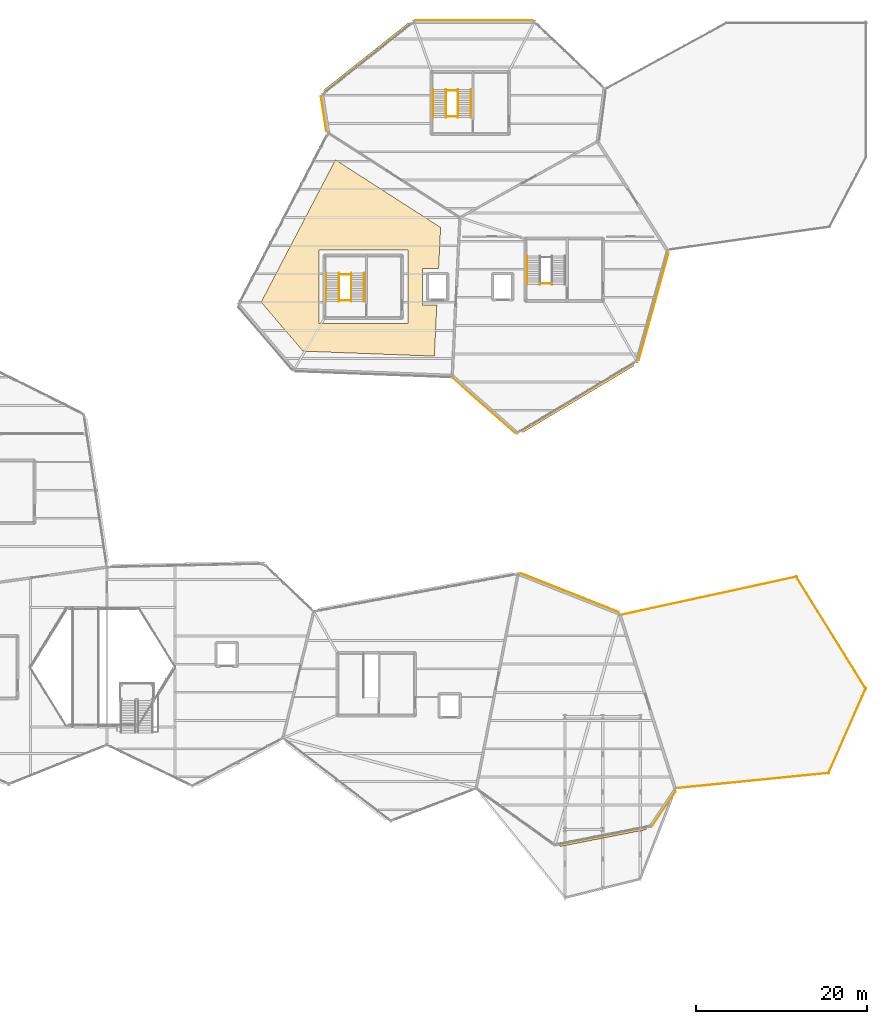
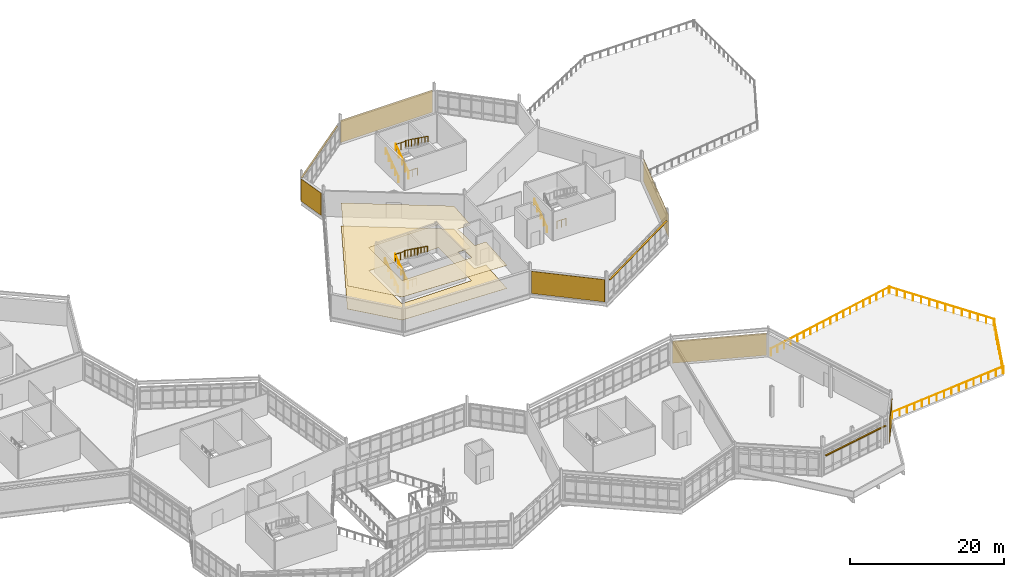
# One storey, part 75 of 76: 18 railings, 8 coverings, 3 shading devices.
"""IFC4 building model written with IfcOpenShell, lengths in metres."""

from ifc_helpers import new_model, si_unit, direction, frame, frame_2d, origin, origin_2d, place, context, subcontext, project, spatial, polyline, rectangle, circle, outline, extrude, material, layer, layer_set, type_object, element, save


model = new_model("IFC4")

# Units and contexts
model_context = context("Model", 3, precision=1e-05, world=origin(), true_north=direction((0.0, 1.0)))
body_context = subcontext(model_context, "Body", "Model", "MODEL_VIEW")
ifc_project = project(units=[si_unit("LENGTHUNIT", "METRE"), si_unit("AREAUNIT", "SQUARE_METRE"), si_unit("VOLUMEUNIT", "CUBIC_METRE"), si_unit("PLANEANGLEUNIT", "RADIAN"), si_unit("MASSUNIT", "GRAM", prefix="KILO")], contexts=[model_context])

# Site, building, storey
site_placement = place(None, origin())
site = spatial("IfcSite", under=ifc_project, at=site_placement, CompositionType="ELEMENT")
building_placement = place(site_placement, origin())
building = spatial("IfcBuilding", under=site, at=building_placement, Name="Tameran Prism Museum", CompositionType="ELEMENT")
storey_placement = place(building_placement, frame((0.0, 0.0, 15.0)))
storey = spatial("IfcBuildingStorey", under=building, at=storey_placement, Name="L03", CompositionType="ELEMENT", Elevation=15.0)

# Coverings
ifc_material_1 = material(Name="Perforated Acoustic Timber Slat Ceiling", Category="wood")
ifc_layer_1 = layer(ifc_material_1, 0.034912109375)
ifc_layer_set_1 = layer_set([ifc_layer_1])
covering_type_1 = type_object("IfcCoveringType", Name="CV-CEIL-AC", PredefinedType="CEILING", material=ifc_layer_set_1)
covering_1_placement = place(storey_placement, frame((0.0, 0.0, 3.64990234375)))
element("IfcCovering", 1, at=covering_1_placement, inside=storey, type_object=covering_type_1, Name="Acoustic Gallery Ceiling CLG-08", PredefinedType="CEILING", context=body_context, shape_type="SweptSolid", body=[
    extrude(outline(polyline([(95.5390625, 79.199951171875), (104.235107421875, 95.847900390625), (116.541015625, 87.93701171875), (116.30810546875, 83.14990234375), (114.39990234375, 83.14990234375), (114.39990234375, 78.85009765625), (116.09912109375, 78.85009765625), (115.80810546875, 72.881103515625), (100.446044921875, 73.4619140625), (95.5390625, 79.199951171875)]), holes=[polyline([(112.699951171875, 85.300048828125), (102.300048828125, 85.300048828125), (102.300048828125, 76.699951171875), (112.699951171875, 76.699951171875), (112.699951171875, 85.300048828125)])]), origin(), (0.0, 0.0, 1.0), 0.03515625),
])
ifc_material_2 = material(Name="Honed Porcellanite Terrazzo Flooring")
ifc_layer_2 = layer(ifc_material_2, 0.030029296875)
ifc_layer_set_2 = layer_set([ifc_layer_2])
covering_type_2 = type_object("IfcCoveringType", Name="CV-FLR-TER", PredefinedType="FLOORING", material=ifc_layer_set_2)
covering_2_placement = place(storey_placement, origin())
element("IfcCovering", 2, at=covering_2_placement, inside=storey, type_object=covering_type_2, Name="Porcellanite Terrazzo Floor FLR-08", PredefinedType="FLOORING", context=body_context, shape_type="SweptSolid", body=[
    extrude(outline(polyline([(95.5390625, 79.199951171875), (104.235107421875, 95.847900390625), (116.541015625, 87.93701171875), (116.30810546875, 83.14990234375), (114.39990234375, 83.14990234375), (114.39990234375, 78.85009765625), (116.09912109375, 78.85009765625), (115.80810546875, 72.881103515625), (100.446044921875, 73.4619140625), (95.5390625, 79.199951171875)]), holes=[polyline([(112.699951171875, 85.300048828125), (102.300048828125, 85.300048828125), (102.300048828125, 76.699951171875), (112.699951171875, 76.699951171875), (112.699951171875, 85.300048828125)])]), origin(), (0.0, 0.0, 1.0), 0.030029296875),
])
ifc_material_3 = material(Name="White Fluted Mineral Precast GRC", Category="concrete")
ifc_layer_3 = layer(ifc_material_3, 0.044921875)
ifc_layer_set_3 = layer_set([ifc_layer_3])
covering_type_3 = type_object("IfcCoveringType", Name="CV-FLUTE-WHT", PredefinedType="CLADDING", material=ifc_layer_set_3)
covering_3_placement = place(storey_placement, frame((125.239013671875, 63.876953125, 0.050048828125), z_axis=(0.0, 0.0, 1.0), x_axis=(-0.750181119255, 0.661232401137, 0.0)))
element("IfcCovering", 3, at=covering_3_placement, inside=storey, type_object=covering_type_3, Name="Vertical Fluted White Precast Panel CL-0050", PredefinedType="CLADDING", context=body_context, shape_type="SweptSolid", body=[
    extrude(rectangle(XDim=9.7109375, YDim=0.044921875, at=frame_2d((4.85546875, 0.0))), origin(), (0.0, 0.0, 1.0), 3.52001953125),
])
covering_4_placement = place(storey_placement, frame((143.235107421875, 84.97607421875, 0.050048828125), z_axis=(0.0, 0.0, 1.0), x_axis=(-0.268850292875, -0.963181976586, 0.0)))
element("IfcCovering", 4, at=covering_4_placement, inside=storey, type_object=covering_type_3, Name="Vertical Fluted White Precast Panel CL-0051", PredefinedType="CLADDING", context=body_context, shape_type="SweptSolid", body=[
    extrude(rectangle(XDim=13.033935546875, YDim=0.044921875, at=frame_2d((6.51708984375, 0.0))), origin(), (0.0, 0.0, 1.0), 3.52001953125),
])
covering_5_placement = place(storey_placement, frame((113.580078125, 112.18994140625, 0.050048828125), z_axis=(0.0, 0.0, 1.0), x_axis=(1.0, 0.0, 0.0)))
element("IfcCovering", 5, at=covering_5_placement, inside=storey, type_object=covering_type_3, Name="Vertical Fluted White Precast Panel CL-0053", PredefinedType="CLADDING", context=body_context, shape_type="SweptSolid", body=[
    extrude(rectangle(XDim=13.739990234375, YDim=0.044921875, at=frame_2d((6.8701171875, 0.0))), origin(), (0.0, 0.0, 1.0), 3.52001953125),
])
covering_6_placement = place(storey_placement, frame((103.176025390625, 99.2080078125, 0.050048828125), z_axis=(0.0, 0.0, 1.0), x_axis=(-0.153836417565, 0.988096329631, 0.0)))
element("IfcCovering", 6, at=covering_6_placement, inside=storey, type_object=covering_type_3, Name="Vertical Fluted White Precast Panel CL-0054", PredefinedType="CLADDING", context=body_context, shape_type="SweptSolid", body=[
    extrude(rectangle(XDim=4.13427734375, YDim=0.044921875, at=frame_2d((2.067138671875, 0.0))), origin(), (0.0, 0.0, 1.0), 3.52001953125),
])
covering_7_placement = place(storey_placement, frame((125.889892578125, 47.47705078125, 0.050048828125), z_axis=(0.0, 0.0, 1.0), x_axis=(0.930058898884, -0.367410457944, 0.0)))
element("IfcCovering", 7, at=covering_7_placement, inside=storey, type_object=covering_type_3, Name="Vertical Fluted White Precast Panel CL-0055", PredefinedType="CLADDING", context=body_context, shape_type="SweptSolid", body=[
    extrude(rectangle(XDim=12.37353515625, YDim=0.044921875, at=frame_2d((6.186767578125, 0.0))), origin(), (0.0, 0.0, 1.0), 3.52001953125),
])
covering_8_placement = place(storey_placement, frame((144.047119140625, 21.951904296875, 0.050048828125), z_axis=(0.0, 0.0, 1.0), x_axis=(-0.559174006743, -0.829050318246, 0.0)))
element("IfcCovering", 8, at=covering_8_placement, inside=storey, type_object=covering_type_3, Name="Vertical Fluted White Precast Panel CL-0056", PredefinedType="CLADDING", context=body_context, shape_type="SweptSolid", body=[
    extrude(rectangle(XDim=4.8271484375, YDim=0.044921875, at=frame_2d((2.41357421875, 0.0))), origin(), (0.0, 0.0, 1.0), 3.52001953125),
])

# Railings
ifc_material_4 = material(Name="Marine Stainless Steel 316", Category="steel")
ifc_layer_4 = layer(ifc_material_4, 0.054931640625)
ifc_layer_set_4 = layer_set([ifc_layer_4])
railing_type_1 = type_object("IfcRailingType", Name="RL-GR-1120", PredefinedType="GUARDRAIL", material=ifc_layer_set_4)
railing_1_placement = place(storey_placement, frame((104.68994140625, 79.39990234375, 0.0)))
element("IfcRailing", 9, at=railing_1_placement, inside=storey, type_object=railing_type_1, Name="Stair Well Slot Guard GR-S016", PredefinedType="GUARDRAIL", context=body_context, shape_type="SweptSolid", body=[
    extrude(circle(Radius=0.02392578125, at=origin_2d()), frame((0.0, 0.0, 1.1259765625), z_axis=(1.0, 0.0, 0.0), x_axis=(0.0, 1.0, 0.0)), (0.0, 0.0, 1.0), 1.3701171875),
    extrude(circle(Radius=0.02099609375, at=origin_2d()), origin(), (0.0, 0.0, 1.0), 1.101806640625),
    extrude(circle(Radius=0.02099609375, at=origin_2d()), frame((0.68505859375, 0.0, 0.0)), (0.0, 0.0, 1.0), 1.101806640625),
    extrude(circle(Radius=0.02099609375, at=origin_2d()), frame((1.3701171875, 0.0, 0.0)), (0.0, 0.0, 1.0), 1.101806640625),
])
railing_2_placement = place(storey_placement, frame((104.669921875, 79.280029296875, 0.0)))
element("IfcRailing", 10, at=railing_2_placement, inside=storey, type_object=railing_type_1, Name="Stair Well Guardrail GR-S017", PredefinedType="GUARDRAIL", context=body_context, shape_type="SweptSolid", body=[
    extrude(circle(Radius=0.02392578125, at=origin_2d()), frame((0.0, 0.0, 1.1259765625), z_axis=(0.0, 0.810008566192, 0.586418044312), x_axis=(-1.0, 0.0, 0.0)), (0.0, 0.0, 1.0), 4.092529296875),
    extrude(circle(Radius=0.02099609375, at=origin_2d()), origin(), (0.0, 0.0, 1.0), 1.101806640625),
    extrude(circle(Radius=0.02099609375, at=origin_2d()), frame((0.0, 0.82861328125, 0.60009765625)), (0.0, 0.0, 1.0), 1.101806640625),
    extrude(circle(Radius=0.02099609375, at=origin_2d()), frame((0.0, 1.657470703125, 1.199951171875)), (0.0, 0.0, 1.0), 1.101806640625),
    extrude(circle(Radius=0.02099609375, at=origin_2d()), frame((0.0, 2.486328125, 1.7998046875)), (0.0, 0.0, 1.0), 1.101806640625),
    extrude(circle(Radius=0.02099609375, at=origin_2d()), frame((0.0, 3.31494140625, 2.39990234375)), (0.0, 0.0, 1.0), 1.101806640625),
])
railing_3_placement = place(storey_placement, frame((106.080078125, 82.594970703125, 2.39990234375)))
element("IfcRailing", 11, at=railing_3_placement, inside=storey, type_object=railing_type_1, Name="Stair Well Guardrail GR-S018", PredefinedType="GUARDRAIL", context=body_context, shape_type="SweptSolid", body=[
    extrude(circle(Radius=0.02392578125, at=origin_2d()), frame((0.0, 0.0, 1.1259765625), z_axis=(0.0, -0.809980229442, 0.586457183359), x_axis=(1.0, 0.0, 0.0)), (0.0, 0.0, 1.0), 4.092529296875),
    extrude(circle(Radius=0.02099609375, at=origin_2d()), origin(), (0.0, 0.0, 1.0), 1.101806640625),
    extrude(circle(Radius=0.02099609375, at=origin_2d()), frame((0.0, -0.82861328125, 0.60009765625)), (0.0, 0.0, 1.0), 1.101806640625),
    extrude(circle(Radius=0.02099609375, at=origin_2d()), frame((0.0, -1.657470703125, 1.2001953125)), (0.0, 0.0, 1.0), 1.101806640625),
    extrude(circle(Radius=0.02099609375, at=origin_2d()), frame((0.0, -2.486328125, 1.800048828125)), (0.0, 0.0, 1.0), 1.101806640625),
    extrude(circle(Radius=0.02099609375, at=origin_2d()), frame((0.0, -3.31494140625, 2.400146484375)), (0.0, 0.0, 1.0), 1.101806640625),
])
railing_4_placement = place(storey_placement, frame((104.64990234375, 82.455078125, 2.39990234375)))
element("IfcRailing", 12, at=railing_4_placement, inside=storey, type_object=railing_type_1, Name="Landing Well Guardrail GR-S019", PredefinedType="GUARDRAIL", context=body_context, shape_type="SweptSolid", body=[
    extrude(circle(Radius=0.02392578125, at=origin_2d()), frame((0.0, 0.0, 1.1259765625), z_axis=(1.0, 0.0, 0.0), x_axis=(0.0, 1.0, 0.0)), (0.0, 0.0, 1.0), 1.4501953125),
    extrude(circle(Radius=0.02099609375, at=origin_2d()), origin(), (0.0, 0.0, 1.0), 1.101806640625),
    extrude(circle(Radius=0.02099609375, at=origin_2d()), frame((0.72509765625, 0.0, 0.0)), (0.0, 0.0, 1.0), 1.101806640625),
    extrude(circle(Radius=0.02099609375, at=origin_2d()), frame((1.4501953125, 0.0, 0.0)), (0.0, 0.0, 1.0), 1.101806640625),
])
for number, where, name in (
    (13, (128.18994140625, 81.39990234375, 0.0), "Stair Well Slot Guard GR-S044"),
    (14, (117.18994140625, 100.89990234375, 0.0), "Stair Well Slot Guard GR-S072"),
):
    element("IfcRailing", number, at=place(storey_placement, frame(where)), inside=storey, type_object=railing_type_1, Name=name, PredefinedType="GUARDRAIL", context=body_context, shape_type="SweptSolid", body=[
        extrude(circle(Radius=0.02392578125, at=origin_2d()), frame((0.0, 0.0, 1.1259765625), z_axis=(1.0, 0.0, 0.0), x_axis=(0.0, 1.0, 0.0)), (0.0, 0.0, 1.0), 1.3701171875),
        extrude(circle(Radius=0.02099609375, at=origin_2d()), origin(), (0.0, 0.0, 1.0), 1.101806640625),
        extrude(circle(Radius=0.02099609375, at=origin_2d()), frame((0.68505859375, 0.0, 0.0)), (0.0, 0.0, 1.0), 1.101806640625),
        extrude(circle(Radius=0.02099609375, at=origin_2d()), frame((1.3701171875, 0.0, 0.0)), (0.0, 0.0, 1.0), 1.101806640625),
    ])
railing_5_placement = place(storey_placement, frame((117.169921875, 100.780029296875, 0.0)))
element("IfcRailing", 15, at=railing_5_placement, inside=storey, type_object=railing_type_1, Name="Stair Well Guardrail GR-S073", PredefinedType="GUARDRAIL", context=body_context, shape_type="SweptSolid", body=[
    extrude(circle(Radius=0.02392578125, at=origin_2d()), frame((0.0, 0.0, 1.1259765625), z_axis=(0.0, 0.810008566192, 0.586418044312), x_axis=(-1.0, 0.0, 0.0)), (0.0, 0.0, 1.0), 4.092529296875),
    extrude(circle(Radius=0.02099609375, at=origin_2d()), origin(), (0.0, 0.0, 1.0), 1.101806640625),
    extrude(circle(Radius=0.02099609375, at=origin_2d()), frame((0.0, 0.82861328125, 0.60009765625)), (0.0, 0.0, 1.0), 1.101806640625),
    extrude(circle(Radius=0.02099609375, at=origin_2d()), frame((0.0, 1.657470703125, 1.199951171875)), (0.0, 0.0, 1.0), 1.101806640625),
    extrude(circle(Radius=0.02099609375, at=origin_2d()), frame((0.0, 2.486328125, 1.7998046875)), (0.0, 0.0, 1.0), 1.101806640625),
    extrude(circle(Radius=0.02099609375, at=origin_2d()), frame((0.0, 3.31494140625, 2.39990234375)), (0.0, 0.0, 1.0), 1.101806640625),
])
railing_6_placement = place(storey_placement, frame((118.580078125, 104.094970703125, 2.39990234375)))
element("IfcRailing", 16, at=railing_6_placement, inside=storey, type_object=railing_type_1, Name="Stair Well Guardrail GR-S074", PredefinedType="GUARDRAIL", context=body_context, shape_type="SweptSolid", body=[
    extrude(circle(Radius=0.02392578125, at=origin_2d()), frame((0.0, 0.0, 1.1259765625), z_axis=(0.0, -0.809980229442, 0.586457183359), x_axis=(1.0, 0.0, 0.0)), (0.0, 0.0, 1.0), 4.092529296875),
    extrude(circle(Radius=0.02099609375, at=origin_2d()), origin(), (0.0, 0.0, 1.0), 1.101806640625),
    extrude(circle(Radius=0.02099609375, at=origin_2d()), frame((0.0, -0.82861328125, 0.60009765625)), (0.0, 0.0, 1.0), 1.101806640625),
    extrude(circle(Radius=0.02099609375, at=origin_2d()), frame((0.0, -1.657470703125, 1.2001953125)), (0.0, 0.0, 1.0), 1.101806640625),
    extrude(circle(Radius=0.02099609375, at=origin_2d()), frame((0.0, -2.486328125, 1.800048828125)), (0.0, 0.0, 1.0), 1.101806640625),
    extrude(circle(Radius=0.02099609375, at=origin_2d()), frame((0.0, -3.31494140625, 2.400146484375)), (0.0, 0.0, 1.0), 1.101806640625),
])
railing_7_placement = place(storey_placement, frame((117.14990234375, 103.955078125, 2.39990234375)))
element("IfcRailing", 17, at=railing_7_placement, inside=storey, type_object=railing_type_1, Name="Landing Well Guardrail GR-S075", PredefinedType="GUARDRAIL", context=body_context, shape_type="SweptSolid", body=[
    extrude(circle(Radius=0.02392578125, at=origin_2d()), frame((0.0, 0.0, 1.1259765625), z_axis=(1.0, 0.0, 0.0), x_axis=(0.0, 1.0, 0.0)), (0.0, 0.0, 1.0), 1.4501953125),
    extrude(circle(Radius=0.02099609375, at=origin_2d()), origin(), (0.0, 0.0, 1.0), 1.101806640625),
    extrude(circle(Radius=0.02099609375, at=origin_2d()), frame((0.72509765625, 0.0, 0.0)), (0.0, 0.0, 1.0), 1.101806640625),
    extrude(circle(Radius=0.02099609375, at=origin_2d()), frame((1.4501953125, 0.0, 0.0)), (0.0, 0.0, 1.0), 1.101806640625),
])
ifc_material_5 = material(Name="Brushed Stainless Steel 316", Category="steel")
ifc_layer_5 = layer(ifc_material_5, 0.048095703125)
ifc_layer_set_5 = layer_set([ifc_layer_5])
railing_type_2 = type_object("IfcRailingType", Name="RL-HR-920", PredefinedType="HANDRAIL", material=ifc_layer_set_5)
railing_8_placement = place(storey_placement, frame((103.159912109375, 79.280029296875, 0.0)))
element("IfcRailing", 18, at=railing_8_placement, inside=storey, type_object=railing_type_2, Name="Stair Flight Handrail HR-009", PredefinedType="HANDRAIL", context=body_context, shape_type="SweptSolid", body=[
    extrude(circle(Radius=0.02392578125, at=origin_2d()), frame((0.0, 0.0, 0.89599609375), z_axis=(0.0, 0.810008566192, 0.586418044312), x_axis=(-1.0, 0.0, 0.0)), (0.0, 0.0, 1.0), 4.092529296875),
    extrude(circle(Radius=0.02099609375, at=origin_2d()), origin(), (0.0, 0.0, 1.0), 0.871826171875),
    extrude(circle(Radius=0.02099609375, at=origin_2d()), frame((0.0, 0.82861328125, 0.60009765625)), (0.0, 0.0, 1.0), 0.871826171875),
    extrude(circle(Radius=0.02099609375, at=origin_2d()), frame((0.0, 1.657470703125, 1.199951171875)), (0.0, 0.0, 1.0), 0.871826171875),
    extrude(circle(Radius=0.02099609375, at=origin_2d()), frame((0.0, 2.486328125, 1.7998046875)), (0.0, 0.0, 1.0), 0.871826171875),
    extrude(circle(Radius=0.02099609375, at=origin_2d()), frame((0.0, 3.31494140625, 2.39990234375)), (0.0, 0.0, 1.0), 0.871826171875),
])
railing_9_placement = place(storey_placement, frame((107.590087890625, 82.594970703125, 2.39990234375)))
element("IfcRailing", 19, at=railing_9_placement, inside=storey, type_object=railing_type_2, Name="Stair Flight Handrail HR-010", PredefinedType="HANDRAIL", context=body_context, shape_type="SweptSolid", body=[
    extrude(circle(Radius=0.02392578125, at=origin_2d()), frame((0.0, 0.0, 0.89599609375), z_axis=(0.0, -0.809980229442, 0.586457183359), x_axis=(1.0, 0.0, 0.0)), (0.0, 0.0, 1.0), 4.092529296875),
    extrude(circle(Radius=0.02099609375, at=origin_2d()), origin(), (0.0, 0.0, 1.0), 0.871826171875),
    extrude(circle(Radius=0.02099609375, at=origin_2d()), frame((0.0, -0.82861328125, 0.60009765625)), (0.0, 0.0, 1.0), 0.871826171875),
    extrude(circle(Radius=0.02099609375, at=origin_2d()), frame((0.0, -1.657470703125, 1.2001953125)), (0.0, 0.0, 1.0), 0.871826171875),
    extrude(circle(Radius=0.02099609375, at=origin_2d()), frame((0.0, -2.486328125, 1.800048828125)), (0.0, 0.0, 1.0), 0.871826171875),
    extrude(circle(Radius=0.02099609375, at=origin_2d()), frame((0.0, -3.31494140625, 2.400146484375)), (0.0, 0.0, 1.0), 0.871826171875),
])
for number, where, name in (
    (20, (126.659912109375, 81.280029296875, 0.0), "Stair Flight Handrail HR-023"),
    (21, (115.659912109375, 100.780029296875, 0.0), "Stair Flight Handrail HR-037"),
):
    element("IfcRailing", number, at=place(storey_placement, frame(where)), inside=storey, type_object=railing_type_2, Name=name, PredefinedType="HANDRAIL", context=body_context, shape_type="SweptSolid", body=[
        extrude(circle(Radius=0.02392578125, at=origin_2d()), frame((0.0, 0.0, 0.89599609375), z_axis=(0.0, 0.810008566192, 0.586418044312), x_axis=(-1.0, 0.0, 0.0)), (0.0, 0.0, 1.0), 4.092529296875),
        extrude(circle(Radius=0.02099609375, at=origin_2d()), origin(), (0.0, 0.0, 1.0), 0.871826171875),
        extrude(circle(Radius=0.02099609375, at=origin_2d()), frame((0.0, 0.82861328125, 0.60009765625)), (0.0, 0.0, 1.0), 0.871826171875),
        extrude(circle(Radius=0.02099609375, at=origin_2d()), frame((0.0, 1.657470703125, 1.199951171875)), (0.0, 0.0, 1.0), 0.871826171875),
        extrude(circle(Radius=0.02099609375, at=origin_2d()), frame((0.0, 2.486328125, 1.7998046875)), (0.0, 0.0, 1.0), 0.871826171875),
        extrude(circle(Radius=0.02099609375, at=origin_2d()), frame((0.0, 3.31494140625, 2.39990234375)), (0.0, 0.0, 1.0), 0.871826171875),
    ])
railing_10_placement = place(storey_placement, frame((120.090087890625, 104.094970703125, 2.39990234375)))
element("IfcRailing", 22, at=railing_10_placement, inside=storey, type_object=railing_type_2, Name="Stair Flight Handrail HR-038", PredefinedType="HANDRAIL", context=body_context, shape_type="SweptSolid", body=[
    extrude(circle(Radius=0.02392578125, at=origin_2d()), frame((0.0, 0.0, 0.89599609375), z_axis=(0.0, -0.809980229442, 0.586457183359), x_axis=(1.0, 0.0, 0.0)), (0.0, 0.0, 1.0), 4.092529296875),
    extrude(circle(Radius=0.02099609375, at=origin_2d()), origin(), (0.0, 0.0, 1.0), 0.871826171875),
    extrude(circle(Radius=0.02099609375, at=origin_2d()), frame((0.0, -0.82861328125, 0.60009765625)), (0.0, 0.0, 1.0), 0.871826171875),
    extrude(circle(Radius=0.02099609375, at=origin_2d()), frame((0.0, -1.657470703125, 1.2001953125)), (0.0, 0.0, 1.0), 0.871826171875),
    extrude(circle(Radius=0.02099609375, at=origin_2d()), frame((0.0, -2.486328125, 1.800048828125)), (0.0, 0.0, 1.0), 0.871826171875),
    extrude(circle(Radius=0.02099609375, at=origin_2d()), frame((0.0, -3.31494140625, 2.400146484375)), (0.0, 0.0, 1.0), 0.871826171875),
])
ifc_material_6 = material(Name="Marine Stainless Steel 316", Category="steel")
ifc_layer_6 = layer(ifc_material_6, 0.06005859375)
ifc_layer_set_6 = layer_set([ifc_layer_6])
railing_type_3 = type_object("IfcRailingType", Name="RL-TER-1120", PredefinedType="GUARDRAIL", material=ifc_layer_set_6)
railing_11_placement = place(storey_placement, frame((144.319091796875, 22.35205078125, 0.0)))
element("IfcRailing", 23, at=railing_11_placement, inside=storey, type_object=railing_type_3, Name="Terrace Guardrail GR-T027", PredefinedType="GUARDRAIL", context=body_context, shape_type="SweptSolid", body=[
    extrude(circle(Radius=0.02392578125, at=origin_2d()), frame((0.0, 0.0, 1.09619140625), z_axis=(0.995037462462, 0.099500996461, 0.0), x_axis=(-0.099500996461, 0.995037462462, 0.0)), (0.0, 0.0, 1.0), 17.757080078125),
    extrude(circle(Radius=0.02099609375, at=origin_2d()), origin(), (0.0, 0.0, 1.0), 1.072021484375),
    extrude(circle(Radius=0.02099609375, at=origin_2d()), frame((1.177978515625, 0.11767578125, 0.0)), (0.0, 0.0, 1.0), 1.072021484375),
    extrude(circle(Radius=0.02099609375, at=origin_2d()), frame((2.35595703125, 0.235595703125, 0.0)), (0.0, 0.0, 1.0), 1.072021484375),
    extrude(circle(Radius=0.02099609375, at=origin_2d()), frame((3.53369140625, 0.353271484375, 0.0)), (0.0, 0.0, 1.0), 1.072021484375),
    extrude(circle(Radius=0.02099609375, at=origin_2d()), frame((4.711669921875, 0.47119140625, 0.0)), (0.0, 0.0, 1.0), 1.072021484375),
    extrude(circle(Radius=0.02099609375, at=origin_2d()), frame((5.8896484375, 0.5888671875, 0.0)), (0.0, 0.0, 1.0), 1.072021484375),
    extrude(circle(Radius=0.02099609375, at=origin_2d()), frame((7.067626953125, 0.706787109375, 0.0)), (0.0, 0.0, 1.0), 1.072021484375),
    extrude(circle(Radius=0.02099609375, at=origin_2d()), frame((8.24560546875, 0.824462890625, 0.0)), (0.0, 0.0, 1.0), 1.072021484375),
    extrude(circle(Radius=0.02099609375, at=origin_2d()), frame((9.42333984375, 0.9423828125, 0.0)), (0.0, 0.0, 1.0), 1.072021484375),
    extrude(circle(Radius=0.02099609375, at=origin_2d()), frame((10.601318359375, 1.06005859375, 0.0)), (0.0, 0.0, 1.0), 1.072021484375),
    extrude(circle(Radius=0.02099609375, at=origin_2d()), frame((11.779296875, 1.177978515625, 0.0)), (0.0, 0.0, 1.0), 1.072021484375),
    extrude(circle(Radius=0.02099609375, at=origin_2d()), frame((12.957275390625, 1.295654296875, 0.0)), (0.0, 0.0, 1.0), 1.072021484375),
    extrude(circle(Radius=0.02099609375, at=origin_2d()), frame((14.13525390625, 1.41357421875, 0.0)), (0.0, 0.0, 1.0), 1.072021484375),
    extrude(circle(Radius=0.02099609375, at=origin_2d()), frame((15.31298828125, 1.53125, 0.0)), (0.0, 0.0, 1.0), 1.072021484375),
    extrude(circle(Radius=0.02099609375, at=origin_2d()), frame((16.490966796875, 1.649169921875, 0.0)), (0.0, 0.0, 1.0), 1.072021484375),
    extrude(circle(Radius=0.02099609375, at=origin_2d()), frame((17.6689453125, 1.766845703125, 0.0)), (0.0, 0.0, 1.0), 1.072021484375),
])
railing_12_placement = place(storey_placement, frame((161.889892578125, 24.048095703125, 0.0)))
element("IfcRailing", 24, at=railing_12_placement, inside=storey, type_object=railing_type_3, Name="Terrace Guardrail GR-T028", PredefinedType="GUARDRAIL", context=body_context, shape_type="SweptSolid", body=[
    extrude(circle(Radius=0.02392578125, at=origin_2d()), frame((0.0, 0.0, 1.09619140625), z_axis=(0.402749847365, 0.915310089777, 0.0), x_axis=(-0.915310089777, 0.402749847365, 0.0)), (0.0, 0.0, 1.0), 10.92529296875),
    extrude(circle(Radius=0.02099609375, at=origin_2d()), origin(), (0.0, 0.0, 1.0), 1.072021484375),
    extrude(circle(Radius=0.02099609375, at=origin_2d()), frame((0.43994140625, 1.0, 0.0)), (0.0, 0.0, 1.0), 1.072021484375),
    extrude(circle(Radius=0.02099609375, at=origin_2d()), frame((0.880126953125, 2.0, 0.0)), (0.0, 0.0, 1.0), 1.072021484375),
    extrude(circle(Radius=0.02099609375, at=origin_2d()), frame((1.320068359375, 3.0, 0.0)), (0.0, 0.0, 1.0), 1.072021484375),
    extrude(circle(Radius=0.02099609375, at=origin_2d()), frame((1.760009765625, 4.0, 0.0)), (0.0, 0.0, 1.0), 1.072021484375),
    extrude(circle(Radius=0.02099609375, at=origin_2d()), frame((2.2001953125, 5.0, 0.0)), (0.0, 0.0, 1.0), 1.072021484375),
    extrude(circle(Radius=0.02099609375, at=origin_2d()), frame((2.64013671875, 6.0, 0.0)), (0.0, 0.0, 1.0), 1.072021484375),
    extrude(circle(Radius=0.02099609375, at=origin_2d()), frame((3.080078125, 7.0, 0.0)), (0.0, 0.0, 1.0), 1.072021484375),
    extrude(circle(Radius=0.02099609375, at=origin_2d()), frame((3.52001953125, 8.0, 0.0)), (0.0, 0.0, 1.0), 1.072021484375),
    extrude(circle(Radius=0.02099609375, at=origin_2d()), frame((3.960205078125, 9.0, 0.0)), (0.0, 0.0, 1.0), 1.072021484375),
    extrude(circle(Radius=0.02099609375, at=origin_2d()), frame((4.400146484375, 10.0, 0.0)), (0.0, 0.0, 1.0), 1.072021484375),
])
railing_13_placement = place(storey_placement, frame((166.298095703125, 33.93701171875, 0.0)))
element("IfcRailing", 25, at=railing_13_placement, inside=storey, type_object=railing_type_3, Name="Terrace Guardrail GR-T029", PredefinedType="GUARDRAIL", context=body_context, shape_type="SweptSolid", body=[
    extrude(circle(Radius=0.02392578125, at=origin_2d()), frame((0.0, 0.0, 1.09619140625), z_axis=(-0.527693678684, 0.84943474233, 0.0), x_axis=(-0.84943474233, -0.527693678684, 0.0)), (0.0, 0.0, 1.0), 15.539794921875),
    extrude(circle(Radius=0.02099609375, at=origin_2d()), origin(), (0.0, 0.0, 1.0), 1.072021484375),
    extrude(circle(Radius=0.02099609375, at=origin_2d()), frame((-0.630859375, 1.015380859375, 0.0)), (0.0, 0.0, 1.0), 1.072021484375),
    extrude(circle(Radius=0.02099609375, at=origin_2d()), frame((-1.261474609375, 2.03076171875, 0.0)), (0.0, 0.0, 1.0), 1.072021484375),
    extrude(circle(Radius=0.02099609375, at=origin_2d()), frame((-1.892333984375, 3.046142578125, 0.0)), (0.0, 0.0, 1.0), 1.072021484375),
    extrude(circle(Radius=0.02099609375, at=origin_2d()), frame((-2.523193359375, 4.0615234375, 0.0)), (0.0, 0.0, 1.0), 1.072021484375),
    extrude(circle(Radius=0.02099609375, at=origin_2d()), frame((-3.15380859375, 5.076904296875, 0.0)), (0.0, 0.0, 1.0), 1.072021484375),
    extrude(circle(Radius=0.02099609375, at=origin_2d()), frame((-3.78466796875, 6.09228515625, 0.0)), (0.0, 0.0, 1.0), 1.072021484375),
    extrude(circle(Radius=0.02099609375, at=origin_2d()), frame((-4.41552734375, 7.107666015625, 0.0)), (0.0, 0.0, 1.0), 1.072021484375),
    extrude(circle(Radius=0.02099609375, at=origin_2d()), frame((-5.04638671875, 8.123046875, 0.0)), (0.0, 0.0, 1.0), 1.072021484375),
    extrude(circle(Radius=0.02099609375, at=origin_2d()), frame((-5.677001953125, 9.138427734375, 0.0)), (0.0, 0.0, 1.0), 1.072021484375),
    extrude(circle(Radius=0.02099609375, at=origin_2d()), frame((-6.307861328125, 10.15380859375, 0.0)), (0.0, 0.0, 1.0), 1.072021484375),
    extrude(circle(Radius=0.02099609375, at=origin_2d()), frame((-6.938720703125, 11.169189453125, 0.0)), (0.0, 0.0, 1.0), 1.072021484375),
    extrude(circle(Radius=0.02099609375, at=origin_2d()), frame((-7.5693359375, 12.1845703125, 0.0)), (0.0, 0.0, 1.0), 1.072021484375),
    extrude(circle(Radius=0.02099609375, at=origin_2d()), frame((-8.2001953125, 13.199951171875, 0.0)), (0.0, 0.0, 1.0), 1.072021484375),
])
railing_14_placement = place(storey_placement, frame((158.22509765625, 47.0830078125, 0.0)))
element("IfcRailing", 26, at=railing_14_placement, inside=storey, type_object=railing_type_3, Name="Terrace Guardrail GR-T030", PredefinedType="GUARDRAIL", context=body_context, shape_type="SweptSolid", body=[
    extrude(circle(Radius=0.02392578125, at=origin_2d()), frame((0.0, 0.0, 1.09619140625), z_axis=(-0.977174141433, -0.212439867525, 0.0), x_axis=(0.212439867525, -0.977174141433, 0.0)), (0.0, 0.0, 1.0), 20.820556640625),
    extrude(circle(Radius=0.02099609375, at=origin_2d()), origin(), (0.0, 0.0, 1.0), 1.072021484375),
    extrude(circle(Radius=0.02099609375, at=origin_2d()), frame((-1.13037109375, -0.24560546875, 0.0)), (0.0, 0.0, 1.0), 1.072021484375),
    extrude(circle(Radius=0.02099609375, at=origin_2d()), frame((-2.260498046875, -0.491455078125, 0.0)), (0.0, 0.0, 1.0), 1.072021484375),
    extrude(circle(Radius=0.02099609375, at=origin_2d()), frame((-3.390869140625, -0.7373046875, 0.0)), (0.0, 0.0, 1.0), 1.072021484375),
    extrude(circle(Radius=0.02099609375, at=origin_2d()), frame((-4.521240234375, -0.98291015625, 0.0)), (0.0, 0.0, 1.0), 1.072021484375),
    extrude(circle(Radius=0.02099609375, at=origin_2d()), frame((-5.6513671875, -1.228515625, 0.0)), (0.0, 0.0, 1.0), 1.072021484375),
    extrude(circle(Radius=0.02099609375, at=origin_2d()), frame((-6.78173828125, -1.474365234375, 0.0)), (0.0, 0.0, 1.0), 1.072021484375),
    extrude(circle(Radius=0.02099609375, at=origin_2d()), frame((-7.912109375, -1.72021484375, 0.0)), (0.0, 0.0, 1.0), 1.072021484375),
    extrude(circle(Radius=0.02099609375, at=origin_2d()), frame((-9.042236328125, -1.9658203125, 0.0)), (0.0, 0.0, 1.0), 1.072021484375),
    extrude(circle(Radius=0.02099609375, at=origin_2d()), frame((-10.172607421875, -2.21142578125, 0.0)), (0.0, 0.0, 1.0), 1.072021484375),
    extrude(circle(Radius=0.02099609375, at=origin_2d()), frame((-11.302978515625, -2.457275390625, 0.0)), (0.0, 0.0, 1.0), 1.072021484375),
    extrude(circle(Radius=0.02099609375, at=origin_2d()), frame((-12.43310546875, -2.703125, 0.0)), (0.0, 0.0, 1.0), 1.072021484375),
    extrude(circle(Radius=0.02099609375, at=origin_2d()), frame((-13.5634765625, -2.94873046875, 0.0)), (0.0, 0.0, 1.0), 1.072021484375),
    extrude(circle(Radius=0.02099609375, at=origin_2d()), frame((-14.69384765625, -3.1943359375, 0.0)), (0.0, 0.0, 1.0), 1.072021484375),
    extrude(circle(Radius=0.02099609375, at=origin_2d()), frame((-15.823974609375, -3.440185546875, 0.0)), (0.0, 0.0, 1.0), 1.072021484375),
    extrude(circle(Radius=0.02099609375, at=origin_2d()), frame((-16.954345703125, -3.68603515625, 0.0)), (0.0, 0.0, 1.0), 1.072021484375),
    extrude(circle(Radius=0.02099609375, at=origin_2d()), frame((-18.084716796875, -3.931640625, 0.0)), (0.0, 0.0, 1.0), 1.072021484375),
    extrude(circle(Radius=0.02099609375, at=origin_2d()), frame((-19.21484375, -4.17724609375, 0.0)), (0.0, 0.0, 1.0), 1.072021484375),
    extrude(circle(Radius=0.02099609375, at=origin_2d()), frame((-20.34521484375, -4.423095703125, 0.0)), (0.0, 0.0, 1.0), 1.072021484375),
])

# Shading devices
ifc_material_7 = material(Name="Anodised Aluminium Alloy 6063-T6", Category="aluminium")
ifc_layer_7 = layer(ifc_material_7, 0.044921875)
ifc_layer_set_7 = layer_set([ifc_layer_7])
shading_device_type_1 = type_object("IfcShadingDeviceType", Name="SH-JAL-240", PredefinedType="JALOUSIE", material=ifc_layer_set_7)
shading_device_1_placement = place(storey_placement, frame((132.593017578125, 67.946044921875, 3.139892578125), z_axis=(0.0, 0.0, 1.0), x_axis=(-0.857526656194, -0.514439533782, 0.0)))
element("IfcShadingDevice", 27, at=shading_device_1_placement, inside=storey, type_object=shading_device_type_1, Name="Monsoon Storm Louvre SLV-056", PredefinedType="JALOUSIE", context=body_context, shape_type="SweptSolid", body=[
    extrude(rectangle(XDim=15.22705078125, YDim=0.260009765625, at=origin_2d()), origin(), (0.0, 0.0, 1.0), 0.06005859375),
])
ifc_material_8 = material(Name="Anodised Aluminium Alloy 6063-T6", Category="aluminium")
ifc_layer_8 = layer(ifc_material_8, 0.050048828125)
ifc_layer_set_8 = layer_set([ifc_layer_8])
shading_device_type_2 = type_object("IfcShadingDeviceType", Name="SH-LOUV-300", PredefinedType="SHUTTER", material=ifc_layer_set_8)
shading_device_2_placement = place(storey_placement, frame((107.93798828125, 107.89111328125, 3.139892578125), z_axis=(0.0, 0.0, 1.0), x_axis=(0.783042563302, 0.621968121415, 0.0)))
element("IfcShadingDevice", 28, at=shading_device_2_placement, inside=storey, type_object=shading_device_type_2, Name="Monsoon Storm Louvre SLV-057", PredefinedType="SHUTTER", context=body_context, shape_type="SweptSolid", body=[
    extrude(rectangle(XDim=12.56494140625, YDim=0.260009765625, at=origin_2d()), origin(), (0.0, 0.0, 1.0), 0.06005859375),
])
shading_device_3_placement = place(storey_placement, frame((135.534912109375, 16.623046875, 3.139892578125), z_axis=(0.0, 0.0, 1.0), x_axis=(-0.981259047624, -0.192693231472, 0.0)))
element("IfcShadingDevice", 29, at=shading_device_3_placement, inside=storey, type_object=shading_device_type_2, Name="Monsoon Storm Louvre SLV-065", PredefinedType="SHUTTER", context=body_context, shape_type="SweptSolid", body=[
    extrude(rectangle(XDim=10.31396484375, YDim=0.260009765625, at=origin_2d()), origin(), (0.0, 0.0, 1.0), 0.06005859375),
])

save(model, "model.ifc")
